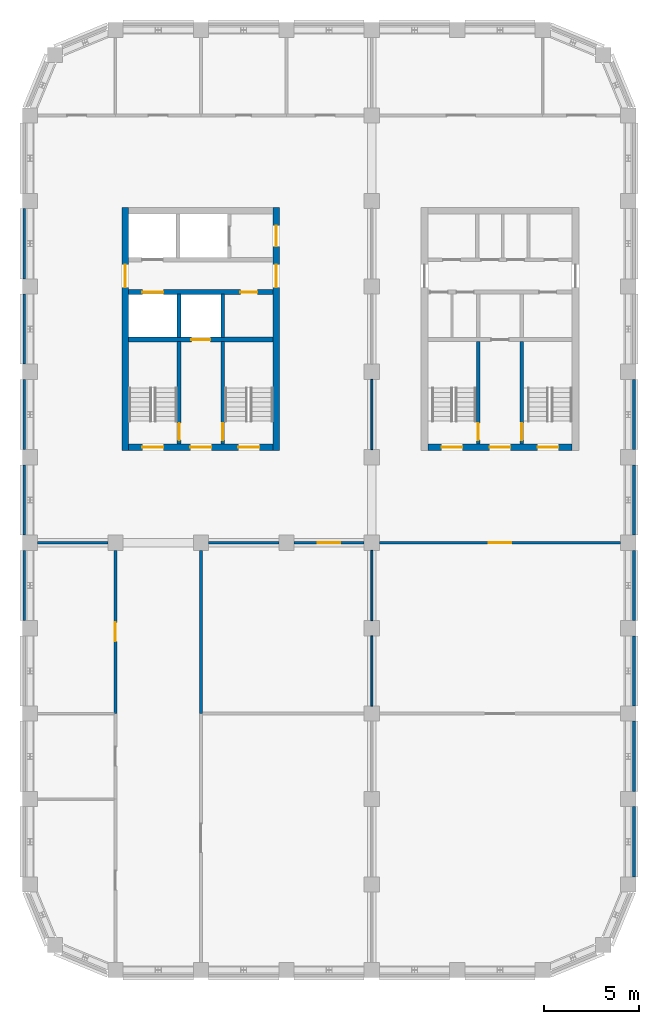
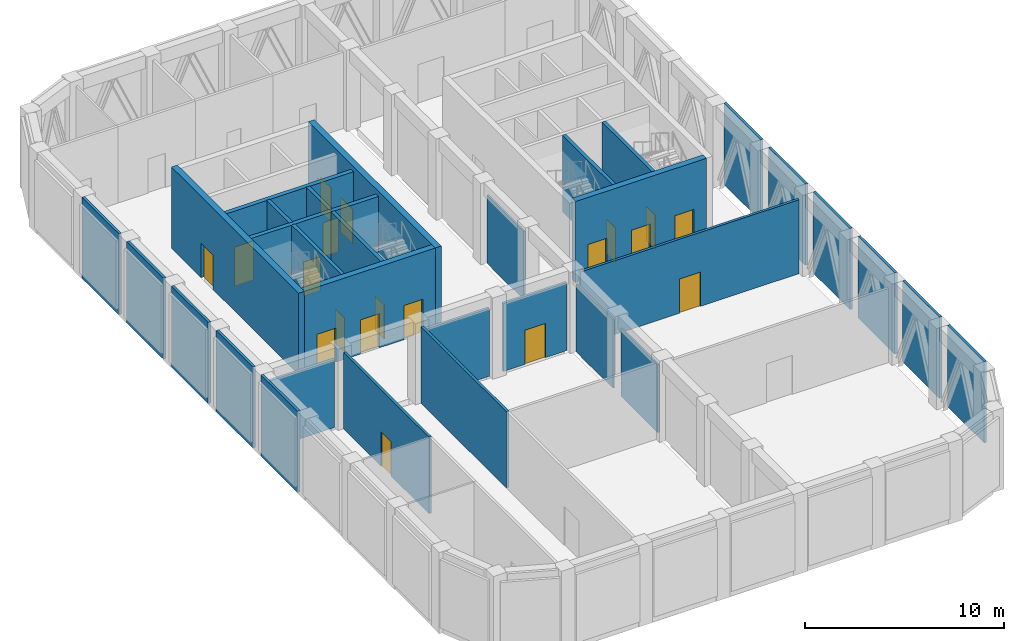
# One storey, part 3 of 7: 32 walls, 19 doors, 19 openings.
"""IFC4 building model written with IfcOpenShell, lengths in metres."""

from ifc_helpers import new_model, si_unit, direction, frame, frame_2d, origin, place, context, subcontext, project, spatial, rectangle, extrude, material, layer, layer_set, type_object, element, fill, save


model = new_model("IFC4")

# Units and contexts
model_context = context("Model", 3, precision=1e-05, world=origin(), true_north=direction((0.0, 1.0)))
body_context = subcontext(model_context, "Body", "Model", "MODEL_VIEW")
ifc_project = project(units=[si_unit("LENGTHUNIT", "METRE"), si_unit("AREAUNIT", "SQUARE_METRE"), si_unit("VOLUMEUNIT", "CUBIC_METRE"), si_unit("PLANEANGLEUNIT", "RADIAN"), si_unit("MASSUNIT", "GRAM", prefix="KILO")], contexts=[model_context])

# Site, building, storey
site_placement = place(None, origin())
site = spatial("IfcSite", under=ifc_project, at=site_placement, CompositionType="ELEMENT")
building_placement = place(site_placement, origin())
building = spatial("IfcBuilding", under=site, at=building_placement, Name="Girih Gate Residences", CompositionType="ELEMENT")
storey_placement = place(building_placement, frame((0.0, 0.0, 201.89990234375)))
storey = spatial("IfcBuildingStorey", under=building, at=storey_placement, Name="L56", CompositionType="ELEMENT", Elevation=201.89990234375)

# Wall, opening, door
ifc_material_1 = material(Name="Gypsum board on steel studs", Category="steel")
ifc_layer_1 = layer(ifc_material_1, 0.14990234375)
ifc_layer_set_1 = layer_set([ifc_layer_1], Name="Compartment wall 150 mm")
wall_type_1 = type_object("IfcWallType", Name="Compartment wall 150 mm", PredefinedType="PARTITIONING", material=ifc_layer_set_1)
wall_1_placement = place(storey_placement, frame((31.10009765625, 22.5, 0.0), z_axis=(0.0, 0.0, 1.0), x_axis=(-1.0, 0.0, 0.0)))
wall_1 = element("IfcWall", 1, at=wall_1_placement, inside=storey, type_object=wall_type_1, Name="L56 partition", PredefinedType="PARTITIONING", context=body_context, shape_type="SweptSolid", body=[
    extrude(rectangle(XDim=12.7001953125, YDim=0.14990234375, at=frame_2d((6.35009765625, 0.0))), origin(), (0.0, 0.0, 1.0), 4.545166015625),
])
opening_1_placement = place(wall_1_placement, frame((5.75, 0.0, 0.0)))
opening_1 = element("IfcOpeningElement", 2, at=opening_1_placement, cuts=wall_1, Name="Opening D-L56-S-001", PredefinedType="OPENING", context=body_context, shape_type="SweptSolid", body=[
    extrude(rectangle(XDim=1.199951171875, YDim=2.10009765625, at=frame_2d((0.60009765625, 1.050048828125))), frame((0.0, 0.0849609375, 0.0), z_axis=(0.0, -1.0, 0.0), x_axis=(1.0, 0.0, 0.0)), (0.0, 0.0, 1.0), 0.169921875),
])
ifc_material_2 = material(Name="Timber, fire-rated core", Category="wood")
door_type_1 = type_object("IfcDoorType", Name="Gallery fire door 1200x2100 FD30S", OperationType="SINGLE_SWING_LEFT", PredefinedType="DOOR", material=ifc_material_2)
door_1_placement = place(opening_1_placement, origin())
door_1 = element("IfcDoor", 3, at=door_1_placement, inside=storey, type_object=door_type_1, Name="Door L56-001", OperationType="SINGLE_SWING_RIGHT", OverallHeight=2.10009765625, OverallWidth=1.199951171875, PredefinedType="DOOR", context=body_context, shape_type="SweptSolid", body=[
    extrude(rectangle(XDim=1.199951171875, YDim=2.10009765625, at=frame_2d((0.60009765625, 1.050048828125))), frame((0.0, 0.02490234375, 0.0), z_axis=(0.0, -1.0, 0.0), x_axis=(1.0, 0.0, 0.0)), (0.0, 0.0, 1.0), 0.050048828125),
])
fill(opening_1, door_1)

wall_2_placement = place(storey_placement, frame((17.60009765625, 22.5, 0.0), z_axis=(0.0, 0.0, 1.0), x_axis=(-1.0, 0.0, 0.0)))
wall_2 = element("IfcWall", 4, at=wall_2_placement, inside=storey, type_object=wall_type_1, Name="L56 partition", PredefinedType="PARTITIONING", context=body_context, shape_type="SweptSolid", body=[
    extrude(rectangle(XDim=3.7001953125, YDim=0.14990234375, at=frame_2d((1.85009765625, 0.0))), origin(), (0.0, 0.0, 1.0), 4.175048828125),
])
opening_2_placement = place(wall_2_placement, frame((1.25, 0.0, 0.0)))
opening_2 = element("IfcOpeningElement", 5, at=opening_2_placement, cuts=wall_2, Name="Opening D-L56-S-005", PredefinedType="OPENING", context=body_context, shape_type="SweptSolid", body=[
    extrude(rectangle(XDim=1.199951171875, YDim=2.10009765625, at=frame_2d((0.60009765625, 1.050048828125))), frame((0.0, 0.0849609375, 0.0), z_axis=(0.0, -1.0, 0.0), x_axis=(1.0, 0.0, 0.0)), (0.0, 0.0, 1.0), 0.169921875),
])
door_2_placement = place(opening_2_placement, origin())
door_2 = element("IfcDoor", 6, at=door_2_placement, inside=storey, type_object=door_type_1, Name="Door L56-005", OperationType="SINGLE_SWING_LEFT", OverallHeight=2.10009765625, OverallWidth=1.199951171875, PredefinedType="DOOR", context=body_context, shape_type="SweptSolid", body=[
    extrude(rectangle(XDim=1.199951171875, YDim=2.10009765625, at=frame_2d((0.60009765625, 1.050048828125))), frame((0.0, 0.02490234375, 0.0), z_axis=(0.0, -1.0, 0.0), x_axis=(1.0, 0.0, 0.0)), (0.0, 0.0, 1.0), 0.050048828125),
])
fill(opening_2, door_2)

# Walls
for number, where, z_axis, x_axis, name in (
    (7, (9.39990234375, 22.5, 0.0), (0.0, 0.0, 1.0), (1.0, 0.0, 0.0), "L56 partition"),
    (8, (0.39990234375, 22.5, 0.0), (0.0, 0.0, 1.0), (1.0, 0.0, 0.0), "L56 partition"),
):
    element("IfcWall", number, at=place(storey_placement, frame(where, z_axis=z_axis, x_axis=x_axis)), inside=storey, type_object=wall_type_1, Name=name, PredefinedType="PARTITIONING", context=body_context, shape_type="SweptSolid", body=[
        extrude(rectangle(XDim=3.7001953125, YDim=0.14990234375, at=frame_2d((1.85009765625, 0.0))), origin(), (0.0, 0.0, 1.0), 4.175048828125),
    ])
wall_3_placement = place(storey_placement, frame((9.0, 13.5, 0.0), z_axis=(0.0, 0.0, 1.0), x_axis=(0.0, 1.0, 0.0)))
element("IfcWall", 9, at=wall_3_placement, inside=storey, type_object=wall_type_1, Name="L56 partition", PredefinedType="PARTITIONING", context=body_context, shape_type="SweptSolid", body=[
    extrude(rectangle(XDim=8.60009765625, YDim=0.14990234375, at=frame_2d((4.300048828125, 0.0))), origin(), (0.0, 0.0, 1.0), 4.695068359375),
])

# Wall, opening, door
wall_4_placement = place(storey_placement, frame((4.5, 13.5, 0.0), z_axis=(0.0, 0.0, 1.0), x_axis=(0.0, 1.0, 0.0)))
wall_4 = element("IfcWall", 10, at=wall_4_placement, inside=storey, type_object=wall_type_1, Name="L56 partition", PredefinedType="PARTITIONING", context=body_context, shape_type="SweptSolid", body=[
    extrude(rectangle(XDim=8.60009765625, YDim=0.14990234375, at=frame_2d((4.300048828125, 0.0))), origin(), (0.0, 0.0, 1.0), 4.695068359375),
])
opening_3_placement = place(wall_4_placement, frame((3.800048828125, 0.0, 0.0)))
opening_3 = element("IfcOpeningElement", 11, at=opening_3_placement, cuts=wall_4, Name="Opening D-L56-S-013", PredefinedType="OPENING", context=body_context, shape_type="SweptSolid", body=[
    extrude(rectangle(XDim=1.0, YDim=2.10009765625, at=frame_2d((0.5, 1.050048828125))), frame((0.0, 0.0849609375, 0.0), z_axis=(0.0, -1.0, 0.0), x_axis=(1.0, 0.0, 0.0)), (0.0, 0.0, 1.0), 0.169921875),
])
ifc_material_3 = material(Name="Painted steel, fire-resisting", Category="steel")
door_type_2 = type_object("IfcDoorType", Name="Plant room door 1000x2100 FD60", OperationType="SINGLE_SWING_LEFT", PredefinedType="DOOR", material=ifc_material_3)
door_3_placement = place(opening_3_placement, origin())
door_3 = element("IfcDoor", 12, at=door_3_placement, inside=storey, type_object=door_type_2, Name="Door L56-013", OperationType="SINGLE_SWING_RIGHT", OverallHeight=2.10009765625, OverallWidth=1.0, PredefinedType="DOOR", context=body_context, shape_type="SweptSolid", body=[
    extrude(rectangle(XDim=1.0, YDim=2.10009765625, at=frame_2d((0.5, 1.050048828125))), frame((0.0, 0.02490234375, 0.0), z_axis=(0.0, -1.0, 0.0), x_axis=(1.0, 0.0, 0.0)), (0.0, 0.0, 1.0), 0.050048828125),
])
fill(opening_3, door_3)

# Wall, openings, doors
ifc_material_4 = material(Name="Concrete C60/75", Category="concrete")
ifc_layer_2 = layer(ifc_material_4, 0.35009765625)
ifc_layer_set_2 = layer_set([ifc_layer_2], Name="Core wall RC 350 Concrete C60/75")
wall_type_2 = type_object("IfcWallType", Name="Core wall RC 350 Concrete C60/75", PredefinedType="SOLIDWALL", material=ifc_layer_set_2)
wall_5_placement = place(storey_placement, frame((5.199951171875, 27.52490234375, 0.0), z_axis=(0.0, 0.0, 1.0), x_axis=(1.0, 0.0, 0.0)))
wall_5 = element("IfcWall", 13, at=wall_5_placement, inside=storey, type_object=wall_type_2, Name="Core wall W-S L56", PredefinedType="SOLIDWALL", context=body_context, shape_type="SweptSolid", body=[
    extrude(rectangle(XDim=7.60009765625, YDim=0.35009765625, at=frame_2d((3.800048828125, 0.0))), origin(), (0.0, 0.0, 1.0), 4.9951171875),
])
opening_4_placement = place(wall_5_placement, frame((0.72509765625, 0.0, 0.0)))
opening_4 = element("IfcOpeningElement", 14, at=opening_4_placement, cuts=wall_5, Name="Opening D-L56-W-008", PredefinedType="OPENING", context=body_context, shape_type="SweptSolid", body=[
    extrude(rectangle(XDim=1.10009765625, YDim=2.10009765625, at=frame_2d((0.550048828125, 1.050048828125))), frame((0.0, 0.18505859375, 0.0), z_axis=(0.0, -1.0, 0.0), x_axis=(1.0, 0.0, 0.0)), (0.0, 0.0, 1.0), 0.3701171875),
])
opening_5_placement = place(wall_5_placement, frame((3.25, 0.0, 0.0)))
opening_5 = element("IfcOpeningElement", 15, at=opening_5_placement, cuts=wall_5, Name="Opening D-L56-W-009", PredefinedType="OPENING", context=body_context, shape_type="SweptSolid", body=[
    extrude(rectangle(XDim=1.10009765625, YDim=2.10009765625, at=frame_2d((0.550048828125, 1.050048828125))), frame((0.0, 0.18505859375, 0.0), z_axis=(0.0, -1.0, 0.0), x_axis=(1.0, 0.0, 0.0)), (0.0, 0.0, 1.0), 0.3701171875),
])
opening_6_placement = place(wall_5_placement, frame((5.77490234375, 0.0, 0.0)))
opening_6 = element("IfcOpeningElement", 16, at=opening_6_placement, cuts=wall_5, Name="Opening D-L56-W-010", PredefinedType="OPENING", context=body_context, shape_type="SweptSolid", body=[
    extrude(rectangle(XDim=1.10009765625, YDim=2.10009765625, at=frame_2d((0.550048828125, 1.050048828125))), frame((0.0, 0.18505859375, 0.0), z_axis=(0.0, -1.0, 0.0), x_axis=(1.0, 0.0, 0.0)), (0.0, 0.0, 1.0), 0.3701171875),
])
door_type_3 = type_object("IfcDoorType", Name="Fire door 1100x2100", OperationType="SINGLE_SWING_LEFT", PredefinedType="DOOR", material=ifc_material_3)
door_4_placement = place(opening_4_placement, origin())
door_4 = element("IfcDoor", 17, at=door_4_placement, inside=storey, type_object=door_type_3, Name="L56 W core door sta-out", OperationType="SINGLE_SWING_LEFT", OverallHeight=2.10009765625, OverallWidth=1.10009765625, PredefinedType="DOOR", context=body_context, shape_type="SweptSolid", body=[
    extrude(rectangle(XDim=1.10009765625, YDim=2.10009765625, at=frame_2d((0.550048828125, 1.050048828125))), frame((0.0, 0.02490234375, 0.0), z_axis=(0.0, -1.0, 0.0), x_axis=(1.0, 0.0, 0.0)), (0.0, 0.0, 1.0), 0.050048828125),
])
fill(opening_4, door_4)
door_5_placement = place(opening_5_placement, origin())
door_5 = element("IfcDoor", 18, at=door_5_placement, inside=storey, type_object=door_type_3, Name="L56 W core door ffl-out", OperationType="SINGLE_SWING_LEFT", OverallHeight=2.10009765625, OverallWidth=1.10009765625, PredefinedType="DOOR", context=body_context, shape_type="SweptSolid", body=[
    extrude(rectangle(XDim=1.10009765625, YDim=2.10009765625, at=frame_2d((0.550048828125, 1.050048828125))), frame((0.0, 0.02490234375, 0.0), z_axis=(0.0, -1.0, 0.0), x_axis=(1.0, 0.0, 0.0)), (0.0, 0.0, 1.0), 0.050048828125),
])
fill(opening_5, door_5)
door_6_placement = place(opening_6_placement, origin())
door_6 = element("IfcDoor", 19, at=door_6_placement, inside=storey, type_object=door_type_3, Name="L56 W core door stb-out", OperationType="SINGLE_SWING_LEFT", OverallHeight=2.10009765625, OverallWidth=1.10009765625, PredefinedType="DOOR", context=body_context, shape_type="SweptSolid", body=[
    extrude(rectangle(XDim=1.10009765625, YDim=2.10009765625, at=frame_2d((0.550048828125, 1.050048828125))), frame((0.0, 0.02490234375, 0.0), z_axis=(0.0, -1.0, 0.0), x_axis=(1.0, 0.0, 0.0)), (0.0, 0.0, 1.0), 0.050048828125),
])
fill(opening_6, door_6)

# Wall, opening, door
wall_6_placement = place(storey_placement, frame((5.02490234375, 27.35009765625, 0.0), z_axis=(0.0, 0.0, 1.0), x_axis=(0.0, 1.0, 0.0)))
wall_6 = element("IfcWall", 20, at=wall_6_placement, inside=storey, type_object=wall_type_2, Name="Core wall W-W L56", PredefinedType="SOLIDWALL", context=body_context, shape_type="SweptSolid", body=[
    extrude(rectangle(XDim=12.7998046875, YDim=0.35009765625, at=frame_2d((6.39990234375, 0.0))), origin(), (0.0, 0.0, 1.0), 4.9951171875),
])
opening_7_placement = place(wall_6_placement, frame((8.60009765625, 0.0, 0.0)))
opening_7 = element("IfcOpeningElement", 21, at=opening_7_placement, cuts=wall_6, Name="Opening D-L56-W-012", PredefinedType="OPENING", context=body_context, shape_type="SweptSolid", body=[
    extrude(rectangle(XDim=1.199951171875, YDim=2.10009765625, at=frame_2d((0.60009765625, 1.050048828125))), frame((0.0, 0.18505859375, 0.0), z_axis=(0.0, -1.0, 0.0), x_axis=(1.0, 0.0, 0.0)), (0.0, 0.0, 1.0), 0.3701171875),
])
door_type_4 = type_object("IfcDoorType", Name="Fire door 1200x2100", OperationType="SINGLE_SWING_LEFT", PredefinedType="DOOR", material=ifc_material_3)
door_7_placement = place(opening_7_placement, origin())
door_7 = element("IfcDoor", 22, at=door_7_placement, inside=storey, type_object=door_type_4, Name="L56 W core door ll-w", OperationType="SINGLE_SWING_LEFT", OverallHeight=2.10009765625, OverallWidth=1.199951171875, PredefinedType="DOOR", context=body_context, shape_type="SweptSolid", body=[
    extrude(rectangle(XDim=1.199951171875, YDim=2.10009765625, at=frame_2d((0.60009765625, 1.050048828125))), frame((0.0, 0.02490234375, 0.0), z_axis=(0.0, -1.0, 0.0), x_axis=(1.0, 0.0, 0.0)), (0.0, 0.0, 1.0), 0.050048828125),
])
fill(opening_7, door_7)

# Wall, openings, doors
wall_7_placement = place(storey_placement, frame((12.97509765625, 27.35009765625, 0.0), z_axis=(0.0, 0.0, 1.0), x_axis=(0.0, 1.0, 0.0)))
wall_7 = element("IfcWall", 23, at=wall_7_placement, inside=storey, type_object=wall_type_2, Name="Core wall W-E L56", PredefinedType="SOLIDWALL", context=body_context, shape_type="SweptSolid", body=[
    extrude(rectangle(XDim=12.7998046875, YDim=0.35009765625, at=frame_2d((6.39990234375, 0.0))), origin(), (0.0, 0.0, 1.0), 4.9951171875),
])
opening_8_placement = place(wall_7_placement, frame((10.75, 0.0, 0.0)))
opening_8 = element("IfcOpeningElement", 24, at=opening_8_placement, cuts=wall_7, Name="Opening D-L56-W-011", PredefinedType="OPENING", context=body_context, shape_type="SweptSolid", body=[
    extrude(rectangle(XDim=1.10009765625, YDim=2.10009765625, at=frame_2d((0.550048828125, 1.050048828125))), frame((0.0, 0.18505859375, 0.0), z_axis=(0.0, -1.0, 0.0), x_axis=(1.0, 0.0, 0.0)), (0.0, 0.0, 1.0), 0.3701171875),
])
opening_9_placement = place(wall_7_placement, frame((8.60009765625, 0.0, 0.0)))
opening_9 = element("IfcOpeningElement", 25, at=opening_9_placement, cuts=wall_7, Name="Opening D-L56-W-013", PredefinedType="OPENING", context=body_context, shape_type="SweptSolid", body=[
    extrude(rectangle(XDim=1.199951171875, YDim=2.10009765625, at=frame_2d((0.60009765625, 1.050048828125))), frame((0.0, 0.18505859375, 0.0), z_axis=(0.0, -1.0, 0.0), x_axis=(1.0, 0.0, 0.0)), (0.0, 0.0, 1.0), 0.3701171875),
])
door_8_placement = place(opening_8_placement, origin())
door_8 = element("IfcDoor", 26, at=door_8_placement, inside=storey, type_object=door_type_3, Name="L56 W core door ffl2-e", OperationType="SINGLE_SWING_LEFT", OverallHeight=2.10009765625, OverallWidth=1.10009765625, PredefinedType="DOOR", context=body_context, shape_type="SweptSolid", body=[
    extrude(rectangle(XDim=1.10009765625, YDim=2.10009765625, at=frame_2d((0.550048828125, 1.050048828125))), frame((0.0, 0.02490234375, 0.0), z_axis=(0.0, -1.0, 0.0), x_axis=(1.0, 0.0, 0.0)), (0.0, 0.0, 1.0), 0.050048828125),
])
fill(opening_8, door_8)
door_9_placement = place(opening_9_placement, origin())
door_9 = element("IfcDoor", 27, at=door_9_placement, inside=storey, type_object=door_type_4, Name="L56 W core door ll-e", OperationType="SINGLE_SWING_LEFT", OverallHeight=2.10009765625, OverallWidth=1.199951171875, PredefinedType="DOOR", context=body_context, shape_type="SweptSolid", body=[
    extrude(rectangle(XDim=1.199951171875, YDim=2.10009765625, at=frame_2d((0.60009765625, 1.050048828125))), frame((0.0, 0.02490234375, 0.0), z_axis=(0.0, -1.0, 0.0), x_axis=(1.0, 0.0, 0.0)), (0.0, 0.0, 1.0), 0.050048828125),
])
fill(opening_9, door_9)

# Wall, opening, door
ifc_material_5 = material(Name="Concrete C40/50", Category="concrete")
ifc_layer_3 = layer(ifc_material_5, 0.25)
ifc_layer_set_3 = layer_set([ifc_layer_3], Name="Lift shaft wall 250")
wall_type_3 = type_object("IfcWallType", Name="Lift shaft wall 250", PredefinedType="SOLIDWALL", material=ifc_layer_set_3)
wall_8_placement = place(storey_placement, frame((5.199951171875, 33.199951171875, 0.0), z_axis=(0.0, 0.0, 1.0), x_axis=(1.0, 0.0, 0.0)))
wall_8 = element("IfcWall", 28, at=wall_8_placement, inside=storey, type_object=wall_type_3, Name="L56 W core wall H1", PredefinedType="SOLIDWALL", context=body_context, shape_type="SweptSolid", body=[
    extrude(rectangle(XDim=7.60009765625, YDim=0.25, at=frame_2d((3.800048828125, 0.0))), origin(), (0.0, 0.0, 1.0), 4.695068359375),
])
opening_10_placement = place(wall_8_placement, frame((3.300048828125, 0.0, 0.0)))
opening_10 = element("IfcOpeningElement", 29, at=opening_10_placement, cuts=wall_8, Name="Opening D-L56-W-006", PredefinedType="OPENING", context=body_context, shape_type="SweptSolid", body=[
    extrude(rectangle(XDim=1.0, YDim=2.10009765625, at=frame_2d((0.5, 1.050048828125))), frame((0.0, 0.135009765625, 0.0), z_axis=(0.0, -1.0, 0.0), x_axis=(1.0, 0.0, 0.0)), (0.0, 0.0, 1.0), 0.27001953125),
])
ifc_material_6 = material(Name="Stainless steel, fire-resisting", Category="steel")
door_type_5 = type_object("IfcDoorType", Name="Firefighting lift landing door 1000x2100", OperationType="SLIDING_TO_LEFT", PredefinedType="DOOR", material=ifc_material_6)
door_10_placement = place(opening_10_placement, origin())
door_10 = element("IfcDoor", 30, at=door_10_placement, inside=storey, type_object=door_type_5, Name="L56 lift FF-W landing door", OperationType="SLIDING_TO_LEFT", OverallHeight=2.10009765625, OverallWidth=1.0, PredefinedType="DOOR", context=body_context, shape_type="SweptSolid", body=[
    extrude(rectangle(XDim=1.0, YDim=2.10009765625, at=frame_2d((0.5, 1.050048828125))), frame((0.0, 0.02490234375, 0.0), z_axis=(0.0, -1.0, 0.0), x_axis=(1.0, 0.0, 0.0)), (0.0, 0.0, 1.0), 0.050048828125),
])
fill(opening_10, door_10)

# Wall, openings, doors
wall_9_placement = place(storey_placement, frame((5.199951171875, 35.699951171875, 0.0), z_axis=(0.0, 0.0, 1.0), x_axis=(1.0, 0.0, 0.0)))
wall_9 = element("IfcWall", 31, at=wall_9_placement, inside=storey, type_object=wall_type_3, Name="L56 W core wall H2", PredefinedType="SOLIDWALL", context=body_context, shape_type="SweptSolid", body=[
    extrude(rectangle(XDim=7.60009765625, YDim=0.25, at=frame_2d((3.800048828125, 0.0))), origin(), (0.0, 0.0, 1.0), 4.695068359375),
])
opening_11_placement = place(wall_9_placement, frame((0.72509765625, 0.0, 0.0)))
opening_11 = element("IfcOpeningElement", 32, at=opening_11_placement, cuts=wall_9, Name="Opening D-L56-W-005", PredefinedType="OPENING", context=body_context, shape_type="SweptSolid", body=[
    extrude(rectangle(XDim=1.10009765625, YDim=2.39990234375, at=frame_2d((0.550048828125, 1.199951171875))), frame((0.0, 0.135009765625, 0.0), z_axis=(0.0, -1.0, 0.0), x_axis=(1.0, 0.0, 0.0)), (0.0, 0.0, 1.0), 0.27001953125),
])
opening_12_placement = place(wall_9_placement, frame((5.875, 0.0, 0.0)))
opening_12 = element("IfcOpeningElement", 33, at=opening_12_placement, cuts=wall_9, Name="Opening D-L56-W-007", PredefinedType="OPENING", context=body_context, shape_type="SweptSolid", body=[
    extrude(rectangle(XDim=0.89990234375, YDim=2.10009765625, at=frame_2d((0.449951171875, 1.050048828125))), frame((0.0, 0.135009765625, 0.0), z_axis=(0.0, -1.0, 0.0), x_axis=(1.0, 0.0, 0.0)), (0.0, 0.0, 1.0), 0.27001953125),
])
door_type_6 = type_object("IfcDoorType", Name="Fire door 900x2100", OperationType="SINGLE_SWING_LEFT", PredefinedType="DOOR", material=ifc_material_3)
door_11_placement = place(opening_12_placement, origin())
door_11 = element("IfcDoor", 34, at=door_11_placement, inside=storey, type_object=door_type_6, Name="L56 W mechanical store door", OperationType="SINGLE_SWING_LEFT", OverallHeight=2.10009765625, OverallWidth=0.89990234375, PredefinedType="DOOR", context=body_context, shape_type="SweptSolid", body=[
    extrude(rectangle(XDim=0.89990234375, YDim=2.10009765625, at=frame_2d((0.449951171875, 1.050048828125))), frame((0.0, 0.02490234375, 0.0), z_axis=(0.0, -1.0, 0.0), x_axis=(1.0, 0.0, 0.0)), (0.0, 0.0, 1.0), 0.050048828125),
])
fill(opening_12, door_11)
ifc_material_7 = material(Name="Stainless steel", Category="steel")
door_type_7 = type_object("IfcDoorType", Name="Lift landing door 1100x2400", OperationType="SLIDING_TO_LEFT", PredefinedType="DOOR", material=ifc_material_7)
door_12_placement = place(opening_11_placement, origin())
door_12 = element("IfcDoor", 35, at=door_12_placement, inside=storey, type_object=door_type_7, Name="L56 lift HR-W1 landing door", OperationType="SLIDING_TO_LEFT", OverallHeight=2.39990234375, OverallWidth=1.10009765625, PredefinedType="DOOR", context=body_context, shape_type="SweptSolid", body=[
    extrude(rectangle(XDim=1.10009765625, YDim=2.39990234375, at=frame_2d((0.550048828125, 1.199951171875))), frame((0.0, 0.02490234375, 0.0), z_axis=(0.0, -1.0, 0.0), x_axis=(1.0, 0.0, 0.0)), (0.0, 0.0, 1.0), 0.050048828125),
])
fill(opening_11, door_12)

# Walls
ifc_layer_4 = layer(ifc_material_1, 0.10009765625)
ifc_layer_set_4 = layer_set([ifc_layer_4], Name="Partition 100 mm")
wall_type_4 = type_object("IfcWallType", Name="Partition 100 mm", PredefinedType="PARTITIONING", material=ifc_layer_set_4)
for number, where, z_axis, x_axis, name in (
    (36, (18.0, 27.39990234375, 0.0), (0.0, 0.0, 1.0), (0.0, 1.0, 0.0), "L56 partition"),
    (37, (18.0, 13.89990234375, 0.0), (0.0, 0.0, 1.0), (0.0, 1.0, 0.0), "L56 partition"),
    (38, (18.0, 18.39990234375, 0.0), (0.0, 0.0, 1.0), (0.0, 1.0, 0.0), "L56 partition"),
):
    element("IfcWall", number, at=place(storey_placement, frame(where, z_axis=z_axis, x_axis=x_axis)), inside=storey, type_object=wall_type_4, Name=name, PredefinedType="PARTITIONING", context=body_context, shape_type="SweptSolid", body=[
        extrude(rectangle(XDim=3.7001953125, YDim=0.10009765625, at=frame_2d((1.85009765625, 0.0))), origin(), (0.0, 0.0, 1.0), 4.175048828125),
    ])
ifc_material_8 = material(Name="Precast concrete C50/60", Category="concrete")
ifc_layer_5 = layer(ifc_material_8, 0.050048828125, Name="Outer leaf")
ifc_material_9 = material(Name="Rigid PIR insulation")
ifc_layer_6 = layer(ifc_material_9, 0.06005859375, Name="Insulation")
ifc_material_10 = material(Name="Precast concrete C40/50", Category="concrete")
ifc_layer_7 = layer(ifc_material_10, 0.0400390625, Name="Inner leaf")
ifc_layer_set_5 = layer_set([ifc_layer_5, ifc_layer_6, ifc_layer_7], Name="Precast concrete C50/60 external wall 150")
wall_type_5 = type_object("IfcWallType", Name="Precast concrete C50/60 external wall 150", PredefinedType="SOLIDWALL", material=ifc_layer_set_5)
for number, where, z_axis, x_axis, name in (
    (39, (31.800048828125, 8.60009765625, 0.0), (0.0, 0.0, 1.0), (0.0, -1.0, 0.0), "External wall E0315_0045.0"),
    (40, (31.800048828125, 13.10009765625, 0.0), (0.0, 0.0, 1.0), (0.0, -1.0, 0.0), "External wall E0315_0045.1"),
    (41, (31.800048828125, 17.60009765625, 0.0), (0.0, 0.0, 1.0), (0.0, -1.0, 0.0), "External wall E0315_0045.2"),
    (42, (31.800048828125, 22.10009765625, 0.0), (0.0, 0.0, 1.0), (0.0, -1.0, 0.0), "External wall E0315_0045.3"),
    (43, (31.800048828125, 26.60009765625, 0.0), (0.0, 0.0, 1.0), (0.0, -1.0, 0.0), "External wall E0315_0045.4"),
    (44, (31.800048828125, 31.10009765625, 0.0), (0.0, 0.0, 1.0), (0.0, -1.0, 0.0), "External wall E0315_0045.5"),
    (45, (-0.300048828125, 36.39990234375, 0.0), (0.0, 0.0, 1.0), (0.0, 1.0, 0.0), "External wall W0000_0450.1"),
    (46, (-0.300048828125, 31.89990234375, 0.0), (0.0, 0.0, 1.0), (0.0, 1.0, 0.0), "External wall W0000_0450.2"),
    (47, (-0.300048828125, 27.39990234375, 0.0), (0.0, 0.0, 1.0), (0.0, 1.0, 0.0), "External wall W0000_0450.3"),
    (48, (-0.300048828125, 22.89990234375, 0.0), (0.0, 0.0, 1.0), (0.0, 1.0, 0.0), "External wall W0000_0450.4"),
    (49, (-0.300048828125, 18.39990234375, 0.0), (0.0, 0.0, 1.0), (0.0, 1.0, 0.0), "External wall W0000_0450.5"),
):
    element("IfcWall", number, at=place(storey_placement, frame(where, z_axis=z_axis, x_axis=x_axis)), inside=storey, type_object=wall_type_5, Name=name, PredefinedType="SOLIDWALL", context=body_context, shape_type="SweptSolid", body=[
        extrude(rectangle(XDim=3.7001953125, YDim=0.14990234375, at=frame_2d((1.85009765625, 0.0))), origin(), (0.0, 0.0, 1.0), 4.9951171875),
    ])

# Wall, opening, door
ifc_layer_8 = layer(ifc_material_5, 0.199951171875)
ifc_layer_set_6 = layer_set([ifc_layer_8], Name="Shaft wall 200")
wall_type_6 = type_object("IfcWallType", Name="Shaft wall 200", PredefinedType="SOLIDWALL", material=ifc_layer_set_6)
wall_10_placement = place(storey_placement, frame((7.85009765625, 27.699951171875, 0.0), z_axis=(0.0, 0.0, 1.0), x_axis=(0.0, 1.0, 0.0)))
wall_10 = element("IfcWall", 50, at=wall_10_placement, inside=storey, type_object=wall_type_6, Name="L56 W core wall V1a", PredefinedType="SOLIDWALL", context=body_context, shape_type="SweptSolid", body=[
    extrude(rectangle(XDim=5.400146484375, YDim=0.199951171875, at=frame_2d((2.7001953125, 0.0))), origin(), (0.0, 0.0, 1.0), 4.695068359375),
])
opening_13_placement = place(wall_10_placement, frame((0.199951171875, 0.0, 0.0)))
opening_13 = element("IfcOpeningElement", 51, at=opening_13_placement, cuts=wall_10, Name="Opening D-L56-W-001", PredefinedType="OPENING", context=body_context, shape_type="SweptSolid", body=[
    extrude(rectangle(XDim=0.89990234375, YDim=2.10009765625, at=frame_2d((0.449951171875, 1.050048828125))), frame((0.0, 0.10986328125, 0.0), z_axis=(0.0, -1.0, 0.0), x_axis=(1.0, 0.0, 0.0)), (0.0, 0.0, 1.0), 0.219970703125),
])
door_13_placement = place(opening_13_placement, origin())
door_13 = element("IfcDoor", 52, at=door_13_placement, inside=storey, type_object=door_type_6, Name="L56 W door stair 1 to firefighting lobby", OperationType="SINGLE_SWING_LEFT", OverallHeight=2.10009765625, OverallWidth=0.89990234375, PredefinedType="DOOR", context=body_context, shape_type="SweptSolid", body=[
    extrude(rectangle(XDim=0.89990234375, YDim=2.10009765625, at=frame_2d((0.449951171875, 1.050048828125))), frame((0.0, 0.02490234375, 0.0), z_axis=(0.0, -1.0, 0.0), x_axis=(1.0, 0.0, 0.0)), (0.0, 0.0, 1.0), 0.050048828125),
])
fill(opening_13, door_13)

wall_11_placement = place(storey_placement, frame((10.14990234375, 27.699951171875, 0.0), z_axis=(0.0, 0.0, 1.0), x_axis=(0.0, 1.0, 0.0)))
wall_11 = element("IfcWall", 53, at=wall_11_placement, inside=storey, type_object=wall_type_6, Name="L56 W core wall V2a", PredefinedType="SOLIDWALL", context=body_context, shape_type="SweptSolid", body=[
    extrude(rectangle(XDim=5.400146484375, YDim=0.199951171875, at=frame_2d((2.7001953125, 0.0))), origin(), (0.0, 0.0, 1.0), 4.695068359375),
])
opening_14_placement = place(wall_11_placement, frame((0.199951171875, 0.0, 0.0)))
opening_14 = element("IfcOpeningElement", 54, at=opening_14_placement, cuts=wall_11, Name="Opening D-L56-W-002", PredefinedType="OPENING", context=body_context, shape_type="SweptSolid", body=[
    extrude(rectangle(XDim=0.89990234375, YDim=2.10009765625, at=frame_2d((0.449951171875, 1.050048828125))), frame((0.0, 0.10986328125, 0.0), z_axis=(0.0, -1.0, 0.0), x_axis=(1.0, 0.0, 0.0)), (0.0, 0.0, 1.0), 0.219970703125),
])
door_14_placement = place(opening_14_placement, origin())
door_14 = element("IfcDoor", 55, at=door_14_placement, inside=storey, type_object=door_type_6, Name="L56 W door stair 2 to firefighting lobby", OperationType="SINGLE_SWING_LEFT", OverallHeight=2.10009765625, OverallWidth=0.89990234375, PredefinedType="DOOR", context=body_context, shape_type="SweptSolid", body=[
    extrude(rectangle(XDim=0.89990234375, YDim=2.10009765625, at=frame_2d((0.449951171875, 1.050048828125))), frame((0.0, 0.02490234375, 0.0), z_axis=(0.0, -1.0, 0.0), x_axis=(1.0, 0.0, 0.0)), (0.0, 0.0, 1.0), 0.050048828125),
])
fill(opening_14, door_14)

# Walls
for number, where, z_axis, x_axis, name in (
    (56, (7.85009765625, 33.300048828125, 0.0), (0.0, 0.0, 1.0), (0.0, 1.0, 0.0), "L56 W core wall V1b"),
    (57, (10.14990234375, 33.300048828125, 0.0), (0.0, 0.0, 1.0), (0.0, 1.0, 0.0), "L56 W core wall V2b"),
):
    element("IfcWall", number, at=place(storey_placement, frame(where, z_axis=z_axis, x_axis=x_axis)), inside=storey, type_object=wall_type_6, Name=name, PredefinedType="SOLIDWALL", context=body_context, shape_type="SweptSolid", body=[
        extrude(rectangle(XDim=2.300048828125, YDim=0.199951171875, at=frame_2d((1.14990234375, 0.0))), origin(), (0.0, 0.0, 1.0), 4.695068359375),
    ])

# Wall, opening, door
wall_12_placement = place(storey_placement, frame((23.60009765625, 27.699951171875, 0.0), z_axis=(0.0, 0.0, 1.0), x_axis=(0.0, 1.0, 0.0)))
wall_12 = element("IfcWall", 58, at=wall_12_placement, inside=storey, type_object=wall_type_6, Name="L56 C core wall V1a", PredefinedType="SOLIDWALL", context=body_context, shape_type="SweptSolid", body=[
    extrude(rectangle(XDim=5.400146484375, YDim=0.199951171875, at=frame_2d((2.7001953125, 0.0))), origin(), (0.0, 0.0, 1.0), 4.695068359375),
])
opening_15_placement = place(wall_12_placement, frame((0.199951171875, 0.0, 0.0)))
opening_15 = element("IfcOpeningElement", 59, at=opening_15_placement, cuts=wall_12, Name="Opening D-L56-C-001", PredefinedType="OPENING", context=body_context, shape_type="SweptSolid", body=[
    extrude(rectangle(XDim=0.89990234375, YDim=2.10009765625, at=frame_2d((0.449951171875, 1.050048828125))), frame((0.0, 0.10986328125, 0.0), z_axis=(0.0, -1.0, 0.0), x_axis=(1.0, 0.0, 0.0)), (0.0, 0.0, 1.0), 0.219970703125),
])
door_15_placement = place(opening_15_placement, origin())
door_15 = element("IfcDoor", 60, at=door_15_placement, inside=storey, type_object=door_type_6, Name="L56 C door stair 1 to stair lobby", OperationType="SINGLE_SWING_LEFT", OverallHeight=2.10009765625, OverallWidth=0.89990234375, PredefinedType="DOOR", context=body_context, shape_type="SweptSolid", body=[
    extrude(rectangle(XDim=0.89990234375, YDim=2.10009765625, at=frame_2d((0.449951171875, 1.050048828125))), frame((0.0, 0.02490234375, 0.0), z_axis=(0.0, -1.0, 0.0), x_axis=(1.0, 0.0, 0.0)), (0.0, 0.0, 1.0), 0.050048828125),
])
fill(opening_15, door_15)

wall_13_placement = place(storey_placement, frame((25.89990234375, 27.699951171875, 0.0), z_axis=(0.0, 0.0, 1.0), x_axis=(0.0, 1.0, 0.0)))
wall_13 = element("IfcWall", 61, at=wall_13_placement, inside=storey, type_object=wall_type_6, Name="L56 C core wall V2a", PredefinedType="SOLIDWALL", context=body_context, shape_type="SweptSolid", body=[
    extrude(rectangle(XDim=5.400146484375, YDim=0.199951171875, at=frame_2d((2.7001953125, 0.0))), origin(), (0.0, 0.0, 1.0), 4.695068359375),
])
opening_16_placement = place(wall_13_placement, frame((0.199951171875, 0.0, 0.0)))
opening_16 = element("IfcOpeningElement", 62, at=opening_16_placement, cuts=wall_13, Name="Opening D-L56-C-002", PredefinedType="OPENING", context=body_context, shape_type="SweptSolid", body=[
    extrude(rectangle(XDim=0.89990234375, YDim=2.10009765625, at=frame_2d((0.449951171875, 1.050048828125))), frame((0.0, 0.10986328125, 0.0), z_axis=(0.0, -1.0, 0.0), x_axis=(1.0, 0.0, 0.0)), (0.0, 0.0, 1.0), 0.219970703125),
])
door_16_placement = place(opening_16_placement, origin())
door_16 = element("IfcDoor", 63, at=door_16_placement, inside=storey, type_object=door_type_6, Name="L56 C door stair 2 to stair lobby", OperationType="SINGLE_SWING_LEFT", OverallHeight=2.10009765625, OverallWidth=0.89990234375, PredefinedType="DOOR", context=body_context, shape_type="SweptSolid", body=[
    extrude(rectangle(XDim=0.89990234375, YDim=2.10009765625, at=frame_2d((0.449951171875, 1.050048828125))), frame((0.0, 0.02490234375, 0.0), z_axis=(0.0, -1.0, 0.0), x_axis=(1.0, 0.0, 0.0)), (0.0, 0.0, 1.0), 0.050048828125),
])
fill(opening_16, door_16)

# Wall, openings, doors
ifc_layer_9 = layer(ifc_material_5, 0.35009765625)
ifc_layer_set_7 = layer_set([ifc_layer_9], Name="Stair core wall RC 350 Concrete C40/50")
wall_type_7 = type_object("IfcWallType", Name="Stair core wall RC 350 Concrete C40/50", PredefinedType="SOLIDWALL", material=ifc_layer_set_7)
wall_14_placement = place(storey_placement, frame((20.949951171875, 27.52490234375, 0.0), z_axis=(0.0, 0.0, 1.0), x_axis=(1.0, 0.0, 0.0)))
wall_14 = element("IfcWall", 64, at=wall_14_placement, inside=storey, type_object=wall_type_7, Name="Stair core wall C-S L56", PredefinedType="SOLIDWALL", context=body_context, shape_type="SweptSolid", body=[
    extrude(rectangle(XDim=7.60009765625, YDim=0.35009765625, at=frame_2d((3.800048828125, 0.0))), origin(), (0.0, 0.0, 1.0), 4.9951171875),
])
opening_17_placement = place(wall_14_placement, frame((0.72509765625, 0.0, 0.0)))
opening_17 = element("IfcOpeningElement", 65, at=opening_17_placement, cuts=wall_14, Name="Opening D-L56-C-011", PredefinedType="OPENING", context=body_context, shape_type="SweptSolid", body=[
    extrude(rectangle(XDim=1.10009765625, YDim=2.10009765625, at=frame_2d((0.550048828125, 1.050048828125))), frame((0.0, 0.18505859375, 0.0), z_axis=(0.0, -1.0, 0.0), x_axis=(1.0, 0.0, 0.0)), (0.0, 0.0, 1.0), 0.3701171875),
])
opening_18_placement = place(wall_14_placement, frame((3.25, 0.0, 0.0)))
opening_18 = element("IfcOpeningElement", 66, at=opening_18_placement, cuts=wall_14, Name="Opening D-L56-C-012", PredefinedType="OPENING", context=body_context, shape_type="SweptSolid", body=[
    extrude(rectangle(XDim=1.10009765625, YDim=2.10009765625, at=frame_2d((0.550048828125, 1.050048828125))), frame((0.0, 0.18505859375, 0.0), z_axis=(0.0, -1.0, 0.0), x_axis=(1.0, 0.0, 0.0)), (0.0, 0.0, 1.0), 0.3701171875),
])
opening_19_placement = place(wall_14_placement, frame((5.77490234375, 0.0, 0.0)))
opening_19 = element("IfcOpeningElement", 67, at=opening_19_placement, cuts=wall_14, Name="Opening D-L56-C-013", PredefinedType="OPENING", context=body_context, shape_type="SweptSolid", body=[
    extrude(rectangle(XDim=1.10009765625, YDim=2.10009765625, at=frame_2d((0.550048828125, 1.050048828125))), frame((0.0, 0.18505859375, 0.0), z_axis=(0.0, -1.0, 0.0), x_axis=(1.0, 0.0, 0.0)), (0.0, 0.0, 1.0), 0.3701171875),
])
door_17_placement = place(opening_17_placement, origin())
door_17 = element("IfcDoor", 68, at=door_17_placement, inside=storey, type_object=door_type_3, Name="L56 C core door sta-out", OperationType="SINGLE_SWING_LEFT", OverallHeight=2.10009765625, OverallWidth=1.10009765625, PredefinedType="DOOR", context=body_context, shape_type="SweptSolid", body=[
    extrude(rectangle(XDim=1.10009765625, YDim=2.10009765625, at=frame_2d((0.550048828125, 1.050048828125))), frame((0.0, 0.02490234375, 0.0), z_axis=(0.0, -1.0, 0.0), x_axis=(1.0, 0.0, 0.0)), (0.0, 0.0, 1.0), 0.050048828125),
])
fill(opening_17, door_17)
door_18_placement = place(opening_18_placement, origin())
door_18 = element("IfcDoor", 69, at=door_18_placement, inside=storey, type_object=door_type_3, Name="L56 C core door ffl-out", OperationType="SINGLE_SWING_LEFT", OverallHeight=2.10009765625, OverallWidth=1.10009765625, PredefinedType="DOOR", context=body_context, shape_type="SweptSolid", body=[
    extrude(rectangle(XDim=1.10009765625, YDim=2.10009765625, at=frame_2d((0.550048828125, 1.050048828125))), frame((0.0, 0.02490234375, 0.0), z_axis=(0.0, -1.0, 0.0), x_axis=(1.0, 0.0, 0.0)), (0.0, 0.0, 1.0), 0.050048828125),
])
fill(opening_18, door_18)
door_19_placement = place(opening_19_placement, origin())
door_19 = element("IfcDoor", 70, at=door_19_placement, inside=storey, type_object=door_type_3, Name="L56 C core door stb-out", OperationType="SINGLE_SWING_LEFT", OverallHeight=2.10009765625, OverallWidth=1.10009765625, PredefinedType="DOOR", context=body_context, shape_type="SweptSolid", body=[
    extrude(rectangle(XDim=1.10009765625, YDim=2.10009765625, at=frame_2d((0.550048828125, 1.050048828125))), frame((0.0, 0.02490234375, 0.0), z_axis=(0.0, -1.0, 0.0), x_axis=(1.0, 0.0, 0.0)), (0.0, 0.0, 1.0), 0.050048828125),
])
fill(opening_19, door_19)

save(model, "model.ifc")
